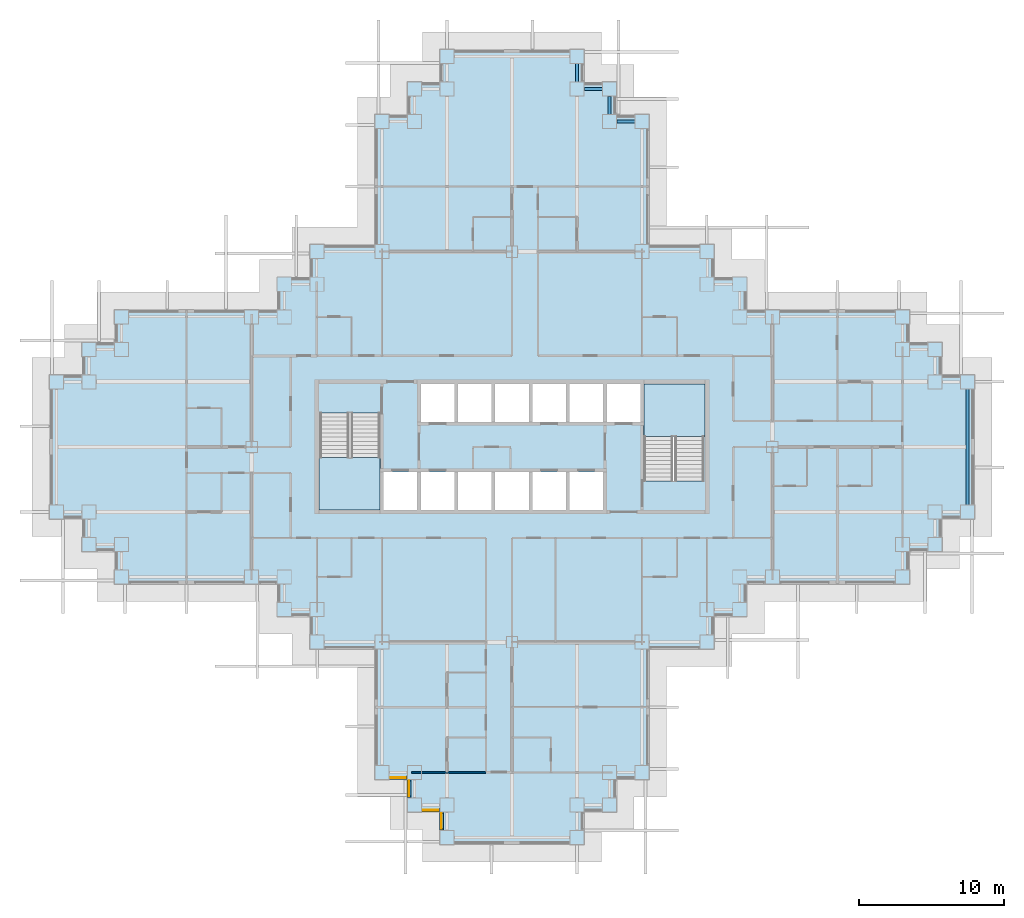
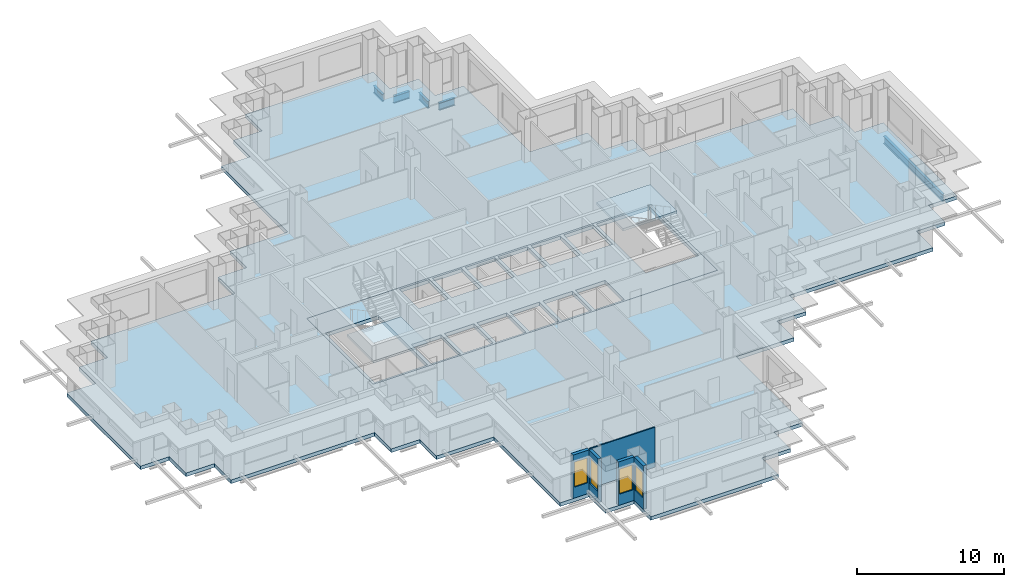
# One storey, part 2 of 15: 5 beams, 5 walls, 4 slabs, 4 windows, 4 openings, 2 elements without a shape of their own.
"""IFC4 building model written with IfcOpenShell, lengths in metres."""

from ifc_helpers import new_model, si_unit, direction, frame, frame_2d, origin, origin_2d, place, context, subcontext, project, spatial, polyline, rectangle, i_section, outline, extrude, material, layer, layer_set, material_profile, profile_set, type_object, element, fill, aggregate, save


model = new_model("IFC4")

# Units and contexts
model_context = context("Model", 3, precision=1e-05, world=origin(), true_north=direction((0.0, 1.0)))
body_context = subcontext(model_context, "Body", "Model", "MODEL_VIEW")
ifc_project = project(units=[si_unit("LENGTHUNIT", "METRE"), si_unit("AREAUNIT", "SQUARE_METRE"), si_unit("VOLUMEUNIT", "CUBIC_METRE"), si_unit("PLANEANGLEUNIT", "RADIAN"), si_unit("MASSUNIT", "GRAM", prefix="KILO")], contexts=[model_context])

# Site, building, storey
site_placement = place(None, origin())
site = spatial("IfcSite", under=ifc_project, at=site_placement, CompositionType="ELEMENT")
building_placement = place(site_placement, origin())
building = spatial("IfcBuilding", under=site, at=building_placement, Name="Caravel Reach Hotel and Residences", CompositionType="ELEMENT")
storey_placement = place(building_placement, frame((0.0, 0.0, 60.0)))
storey = spatial("IfcBuildingStorey", under=building, at=storey_placement, Name="L13", CompositionType="ELEMENT", Elevation=60.0)

# Beams
ifc_material_1 = material(Name="Structural steel Q355B", Category="steel")
ifc_material_profile = material_profile(ifc_material_1, i_section(OverallWidth=0.199951171875, OverallDepth=0.60009765625, WebThickness=0.010986328125, FlangeThickness=0.01708984375, FilletRadius=0.012939453125, at=origin_2d()), Name="HN 600x200x11x17")
ifc_profile_set = profile_set([ifc_material_profile], Name="Structural steel Q355B")
beam_type = type_object("IfcBeamType", Name="Spandrel beam HN 600x200x11x17", PredefinedType="SPANDREL", material=ifc_profile_set)
beam_placement = place(storey_placement, frame((63.0, 23.0, -0.60009765625), z_axis=(0.0, 1.0, 0.0), x_axis=(-1.0, 0.0, 0.0)))
element("IfcBeam", 1, at=beam_placement, inside=storey, type_object=beam_type, Name="SP1 HN 600x200x11x17", PredefinedType="SPANDREL", context=body_context, shape_type="SweptSolid", body=[
    extrude(i_section(OverallWidth=0.199951171875, OverallDepth=0.60009765625, WebThickness=0.010986328125, FlangeThickness=0.01708984375, FilletRadius=0.012939453125, at=origin_2d()), origin(), (0.0, 0.0, 1.0), 8.0),
])
for number, where, z_axis, x_axis, name in (
    (2, (40.0, 49.5, -0.60009765625), (-1.0, 0.0, 0.0), (0.0, -1.0, 0.0), "SP1 HN 600x200x11x17"),
    (3, (38.25, 50.0, -0.60009765625), (0.0, 1.0, 0.0), (-1.0, 0.0, 0.0), "SP1 HN 600x200x11x17"),
    (4, (37.75, 51.75, -0.60009765625), (-1.0, 0.0, 0.0), (0.0, -1.0, 0.0), "SP1 HN 600x200x11x17"),
    (5, (36.0, 52.25, -0.60009765625), (0.0, 1.0, 0.0), (-1.0, 0.0, 0.0), "SP1 HN 600x200x11x17"),
):
    element("IfcBeam", number, at=place(storey_placement, frame(where, z_axis=z_axis, x_axis=x_axis)), inside=storey, type_object=beam_type, Name=name, PredefinedType="SPANDREL", context=body_context, shape_type="SweptSolid", body=[
        extrude(i_section(OverallWidth=0.199951171875, OverallDepth=0.60009765625, WebThickness=0.010986328125, FlangeThickness=0.01708984375, FilletRadius=0.012939453125, at=origin_2d()), origin(), (0.0, 0.0, 1.0), 1.25),
    ])

# Slab
ifc_material_2 = material(Name="Concrete C40", Category="concrete")
ifc_layer_1 = layer(ifc_material_2, 0.300048828125)
ifc_layer_set_1 = layer_set([ifc_layer_1], Name="Core floor slab 300 mm")
slab_type_1 = type_object("IfcSlabType", Name="Core floor slab 300 mm", PredefinedType="FLOOR", material=ifc_layer_set_1)
slab_1_placement = place(storey_placement, frame((0.0, 0.0, -0.300048828125)))
element("IfcSlab", 6, at=slab_1_placement, inside=storey, type_object=slab_type_1, Name="L13 core floor", PredefinedType="FLOOR", context=body_context, shape_type="SweptSolid", body=[
    extrude(outline(polyline([(18.0, 31.5), (45.0, 31.5), (45.0, 22.5), (18.0, 22.5), (18.0, 31.5)]), holes=[polyline([(22.625, 25.27490234375), (22.625, 22.64990234375), (24.9462890625, 22.64990234375), (24.9462890625, 25.27490234375), (22.625, 25.27490234375)]), polyline([(27.517822265625, 25.27490234375), (25.1962890625, 25.27490234375), (25.1962890625, 22.64990234375), (27.517822265625, 22.64990234375), (27.517822265625, 25.27490234375)]), polyline([(30.08935546875, 25.27490234375), (27.767822265625, 25.27490234375), (27.767822265625, 22.64990234375), (30.08935546875, 22.64990234375), (30.08935546875, 25.27490234375)]), polyline([(32.66064453125, 25.27490234375), (30.33935546875, 25.27490234375), (30.33935546875, 22.64990234375), (32.66064453125, 22.64990234375), (32.66064453125, 25.27490234375)]), polyline([(18.22509765625, 22.64990234375), (22.375, 22.64990234375), (22.375, 29.35009765625), (18.22509765625, 29.35009765625), (18.22509765625, 22.64990234375)]), polyline([(27.517822265625, 31.35009765625), (25.1962890625, 31.35009765625), (25.1962890625, 28.72509765625), (27.517822265625, 28.72509765625), (27.517822265625, 31.35009765625)]), polyline([(30.08935546875, 31.35009765625), (27.767822265625, 31.35009765625), (27.767822265625, 28.72509765625), (30.08935546875, 28.72509765625), (30.08935546875, 31.35009765625)]), polyline([(32.91064453125, 25.27490234375), (32.91064453125, 22.64990234375), (35.232177734375, 22.64990234375), (35.232177734375, 25.27490234375), (32.91064453125, 25.27490234375)]), polyline([(37.8037109375, 25.27490234375), (35.482177734375, 25.27490234375), (35.482177734375, 22.64990234375), (37.8037109375, 22.64990234375), (37.8037109375, 25.27490234375)]), polyline([(44.77490234375, 31.35009765625), (40.625, 31.35009765625), (40.625, 24.64990234375), (44.77490234375, 24.64990234375), (44.77490234375, 31.35009765625)]), polyline([(32.66064453125, 31.35009765625), (30.33935546875, 31.35009765625), (30.33935546875, 28.72509765625), (32.66064453125, 28.72509765625), (32.66064453125, 31.35009765625)]), polyline([(35.232177734375, 31.35009765625), (32.91064453125, 31.35009765625), (32.91064453125, 28.72509765625), (35.232177734375, 28.72509765625), (35.232177734375, 31.35009765625)]), polyline([(37.8037109375, 31.35009765625), (35.482177734375, 31.35009765625), (35.482177734375, 28.72509765625), (37.8037109375, 28.72509765625), (37.8037109375, 31.35009765625)]), polyline([(40.375, 31.35009765625), (38.0537109375, 31.35009765625), (38.0537109375, 28.72509765625), (40.375, 28.72509765625), (40.375, 31.35009765625)])]), origin(), (0.0, 0.0, 1.0), 0.300048828125),
])

# Stair, slab
ifc_material_3 = material(Name="Concrete C40", Category="concrete")
stair_type = type_object("IfcStairType", Name="Core stair", PredefinedType="HALF_TURN_STAIR", material=ifc_material_3)
stair_1_placement = place(storey_placement, origin())
stair_1 = element("IfcStair", 7, at=stair_1_placement, inside=storey, type_object=stair_type, Name="L13 Exit stair A", PredefinedType="HALF_TURN_STAIR")
ifc_material_4 = material(Name="Concrete C40", Category="concrete")
ifc_layer_2 = layer(ifc_material_4, 0.199951171875)
ifc_layer_set_2 = layer_set([ifc_layer_2], Name="Core stair landing")
slab_type_2 = type_object("IfcSlabType", Name="Core stair landing", PredefinedType="LANDING", material=ifc_layer_set_2)
slab_2_placement = place(storey_placement, frame((0.0, 0.0, 1.60009765625)))
slab_2 = element("IfcSlab", 8, at=slab_2_placement, type_object=slab_type_2, Name="ST-A landing 1", PredefinedType="LANDING", context=body_context, shape_type="SweptSolid", body=[
    extrude(outline(polyline([(18.14990234375, 26.27001953125), (18.14990234375, 22.64990234375), (22.375, 22.64990234375), (22.375, 26.27001953125), (18.14990234375, 26.27001953125)])), origin(), (0.0, 0.0, 1.0), 0.199951171875),
])
aggregate(stair_1, [slab_2])

stair_2_placement = place(storey_placement, origin())
stair_2 = element("IfcStair", 9, at=stair_2_placement, inside=storey, type_object=stair_type, Name="L13 Exit stair B", PredefinedType="HALF_TURN_STAIR")
slab_3_placement = place(storey_placement, frame((0.0, 0.0, 1.60009765625)))
slab_3 = element("IfcSlab", 10, at=slab_3_placement, type_object=slab_type_2, Name="ST-B landing 1", PredefinedType="LANDING", context=body_context, shape_type="SweptSolid", body=[
    extrude(outline(polyline([(44.85009765625, 27.72998046875), (44.85009765625, 31.35009765625), (40.625, 31.35009765625), (40.625, 27.72998046875), (44.85009765625, 27.72998046875)])), origin(), (0.0, 0.0, 1.0), 0.199951171875),
])
aggregate(stair_2, [slab_3])

# Slab
ifc_material_5 = material(Name="Concrete C40 post-tensioned", Category="concrete")
ifc_layer_3 = layer(ifc_material_5, 0.300048828125)
ifc_layer_set_3 = layer_set([ifc_layer_3], Name="Floor slab 300")
slab_type_3 = type_object("IfcSlabType", Name="Floor slab 300", PredefinedType="FLOOR", material=ifc_layer_set_3)
slab_4_placement = place(storey_placement, frame((0.0, 0.0, -0.300048828125)))
element("IfcSlab", 11, at=slab_4_placement, inside=storey, type_object=slab_type_3, Name="S2 slab L13", PredefinedType="FLOOR", context=body_context, shape_type="SweptSolid", body=[
    extrude(outline(polyline([(17.5, 13.0), (17.5, 15.25), (15.25, 15.25), (15.25, 17.5), (4.0, 17.5), (4.0, 19.75), (1.75, 19.75), (1.75, 22.0), (-0.5, 22.0), (-0.5, 32.0), (1.75, 32.0), (1.75, 34.25), (4.0, 34.25), (4.0, 36.5), (15.25, 36.5), (15.25, 38.75), (17.5, 38.75), (17.5, 41.0), (22.0, 41.0), (22.0, 50.0), (24.25, 50.0), (24.25, 52.25), (26.5, 52.25), (26.5, 54.5), (36.5, 54.5), (36.5, 52.25), (38.75, 52.25), (38.75, 50.0), (41.0, 50.0), (41.0, 41.0), (45.5, 41.0), (45.5, 38.75), (47.75, 38.75), (47.75, 36.5), (59.0, 36.5), (59.0, 34.25), (61.25, 34.25), (61.25, 32.0), (63.5, 32.0), (63.5, 22.0), (61.25, 22.0), (61.25, 19.75), (59.0, 19.75), (59.0, 17.5), (47.75, 17.5), (47.75, 15.25), (45.5, 15.25), (45.5, 13.0), (41.0, 13.0), (41.0, 4.0), (38.75, 4.0), (38.75, 1.75), (36.5, 1.75), (36.5, -0.5), (26.5, -0.5), (26.5, 1.75), (24.25, 1.75), (24.25, 4.0), (22.0, 4.0), (22.0, 13.0), (17.5, 13.0)]), holes=[polyline([(45.0, 31.5), (18.0, 31.5), (18.0, 22.5), (45.0, 22.5), (45.0, 31.5)])]), origin(), (0.0, 0.0, 1.0), 0.300048828125),
])

# Wall, opening, window
ifc_material_6 = material(Name="Insulated rainscreen wall, aluminium cladding", Category="aluminium")
ifc_layer_4 = layer(ifc_material_6, 0.25)
ifc_layer_set_4 = layer_set([ifc_layer_4], Name="EW1 Tower rainscreen wall")
wall_type_1 = type_object("IfcWallType", Name="EW1 Tower rainscreen wall", PredefinedType="SOLIDWALL", material=ifc_layer_set_4)
wall_1_placement = place(storey_placement, frame((23.0, 4.125, 0.0), z_axis=(0.0, 0.0, 1.0), x_axis=(1.0, 0.0, 0.0)))
wall_1 = element("IfcWall", 12, at=wall_1_placement, inside=storey, type_object=wall_type_1, Name="External wall L13 S1.1", PredefinedType="SOLIDWALL", context=body_context, shape_type="SweptSolid", body=[
    extrude(rectangle(XDim=1.25, YDim=0.25, at=frame_2d((0.625, 0.0))), origin(), (0.0, 0.0, 1.0), 3.60009765625),
])
opening_1_placement = place(wall_1_placement, frame((0.10009765625, 0.0, 0.89990234375)))
opening_1 = element("IfcOpeningElement", 13, at=opening_1_placement, cuts=wall_1, Name="Opening WN3", PredefinedType="OPENING", context=body_context, shape_type="SweptSolid", body=[
    extrude(rectangle(XDim=1.050048828125, YDim=2.080078125, at=frame_2d((0.52490234375, 1.0400390625))), frame((0.0, 0.135009765625, 0.0), z_axis=(0.0, -1.0, 0.0), x_axis=(1.0, 0.0, 0.0)), (0.0, 0.0, 1.0), 0.27001953125),
])
ifc_material_7 = material(Name="Dark low-e glazing in black aluminium frame", Category="aluminium")
window_type = type_object("IfcWindowType", Name="Hotel suite corner window 1050 x 2080", PartitioningType="SINGLE_PANEL", PredefinedType="WINDOW", material=ifc_material_7)
window_1_placement = place(opening_1_placement, origin())
window_1 = element("IfcWindow", 14, at=window_1_placement, inside=storey, type_object=window_type, Name="Window L13 S1.1.1", OverallHeight=2.080078125, OverallWidth=1.050048828125, PartitioningType="SINGLE_PANEL", PredefinedType="WINDOW", context=body_context, shape_type="SweptSolid", body=[
    extrude(rectangle(XDim=1.050048828125, YDim=2.080078125, at=frame_2d((0.52490234375, 1.0400390625))), frame((0.0, 0.030029296875, 0.0), z_axis=(0.0, -1.0, 0.0), x_axis=(1.0, 0.0, 0.0)), (0.0, 0.0, 1.0), 0.06005859375),
])
fill(opening_1, window_1)

wall_2_placement = place(storey_placement, frame((24.375, 4.0, 0.0), z_axis=(0.0, 0.0, 1.0), x_axis=(0.0, -1.0, 0.0)))
wall_2 = element("IfcWall", 15, at=wall_2_placement, inside=storey, type_object=wall_type_1, Name="External wall L13 W2.1", PredefinedType="SOLIDWALL", context=body_context, shape_type="SweptSolid", body=[
    extrude(rectangle(XDim=1.25, YDim=0.25, at=frame_2d((0.625, 0.0))), origin(), (0.0, 0.0, 1.0), 3.60009765625),
])
opening_2_placement = place(wall_2_placement, frame((0.10009765625, 0.0, 0.89990234375)))
opening_2 = element("IfcOpeningElement", 16, at=opening_2_placement, cuts=wall_2, Name="Opening WN3", PredefinedType="OPENING", context=body_context, shape_type="SweptSolid", body=[
    extrude(rectangle(XDim=1.050048828125, YDim=2.080078125, at=frame_2d((0.52490234375, 1.0400390625))), frame((0.0, 0.135009765625, 0.0), z_axis=(0.0, -1.0, 0.0), x_axis=(1.0, 0.0, 0.0)), (0.0, 0.0, 1.0), 0.27001953125),
])
window_2_placement = place(opening_2_placement, origin())
window_2 = element("IfcWindow", 17, at=window_2_placement, inside=storey, type_object=window_type, Name="Window L13 W2.1.1", OverallHeight=2.080078125, OverallWidth=1.050048828125, PartitioningType="SINGLE_PANEL", PredefinedType="WINDOW", context=body_context, shape_type="SweptSolid", body=[
    extrude(rectangle(XDim=1.050048828125, YDim=2.080078125, at=frame_2d((0.52490234375, 1.0400390625))), frame((0.0, 0.030029296875, 0.0), z_axis=(0.0, -1.0, 0.0), x_axis=(1.0, 0.0, 0.0)), (0.0, 0.0, 1.0), 0.06005859375),
])
fill(opening_2, window_2)

wall_3_placement = place(storey_placement, frame((25.25, 1.875, 0.0), z_axis=(0.0, 0.0, 1.0), x_axis=(1.0, 0.0, 0.0)))
wall_3 = element("IfcWall", 18, at=wall_3_placement, inside=storey, type_object=wall_type_1, Name="External wall L13 S3.1", PredefinedType="SOLIDWALL", context=body_context, shape_type="SweptSolid", body=[
    extrude(rectangle(XDim=1.25, YDim=0.25, at=frame_2d((0.625, 0.0))), origin(), (0.0, 0.0, 1.0), 3.60009765625),
])
opening_3_placement = place(wall_3_placement, frame((0.10009765625, 0.0, 0.89990234375)))
opening_3 = element("IfcOpeningElement", 19, at=opening_3_placement, cuts=wall_3, Name="Opening WN3", PredefinedType="OPENING", context=body_context, shape_type="SweptSolid", body=[
    extrude(rectangle(XDim=1.050048828125, YDim=2.080078125, at=frame_2d((0.52490234375, 1.0400390625))), frame((0.0, 0.135009765625, 0.0), z_axis=(0.0, -1.0, 0.0), x_axis=(1.0, 0.0, 0.0)), (0.0, 0.0, 1.0), 0.27001953125),
])
window_3_placement = place(opening_3_placement, origin())
window_3 = element("IfcWindow", 20, at=window_3_placement, inside=storey, type_object=window_type, Name="Window L13 S3.1.1", OverallHeight=2.080078125, OverallWidth=1.050048828125, PartitioningType="SINGLE_PANEL", PredefinedType="WINDOW", context=body_context, shape_type="SweptSolid", body=[
    extrude(rectangle(XDim=1.050048828125, YDim=2.080078125, at=frame_2d((0.52490234375, 1.0400390625))), frame((0.0, 0.030029296875, 0.0), z_axis=(0.0, -1.0, 0.0), x_axis=(1.0, 0.0, 0.0)), (0.0, 0.0, 1.0), 0.06005859375),
])
fill(opening_3, window_3)

wall_4_placement = place(storey_placement, frame((26.625, 1.75, 0.0), z_axis=(0.0, 0.0, 1.0), x_axis=(0.0, -1.0, 0.0)))
wall_4 = element("IfcWall", 21, at=wall_4_placement, inside=storey, type_object=wall_type_1, Name="External wall L13 W4.1", PredefinedType="SOLIDWALL", context=body_context, shape_type="SweptSolid", body=[
    extrude(rectangle(XDim=1.25, YDim=0.25, at=frame_2d((0.625, 0.0))), origin(), (0.0, 0.0, 1.0), 3.60009765625),
])
opening_4_placement = place(wall_4_placement, frame((0.10009765625, 0.0, 0.89990234375)))
opening_4 = element("IfcOpeningElement", 22, at=opening_4_placement, cuts=wall_4, Name="Opening WN3", PredefinedType="OPENING", context=body_context, shape_type="SweptSolid", body=[
    extrude(rectangle(XDim=1.050048828125, YDim=2.080078125, at=frame_2d((0.52490234375, 1.0400390625))), frame((0.0, 0.135009765625, 0.0), z_axis=(0.0, -1.0, 0.0), x_axis=(1.0, 0.0, 0.0)), (0.0, 0.0, 1.0), 0.27001953125),
])
window_4_placement = place(opening_4_placement, origin())
window_4 = element("IfcWindow", 23, at=window_4_placement, inside=storey, type_object=window_type, Name="Window L13 W4.1.1", OverallHeight=2.080078125, OverallWidth=1.050048828125, PartitioningType="SINGLE_PANEL", PredefinedType="WINDOW", context=body_context, shape_type="SweptSolid", body=[
    extrude(rectangle(XDim=1.050048828125, YDim=2.080078125, at=frame_2d((0.52490234375, 1.0400390625))), frame((0.0, 0.030029296875, 0.0), z_axis=(0.0, -1.0, 0.0), x_axis=(1.0, 0.0, 0.0)), (0.0, 0.0, 1.0), 0.06005859375),
])
fill(opening_4, window_4)

# Wall
ifc_material_8 = material(Name="Gypsum board on steel stud", Category="steel")
ifc_layer_5 = layer(ifc_material_8, 0.10009765625)
ifc_layer_set_5 = layer_set([ifc_layer_5], Name="Partition 100 mm")
wall_type_2 = type_object("IfcWallType", Name="Partition 100 mm", PredefinedType="PARTITIONING", material=ifc_layer_set_5)
wall_5_placement = place(storey_placement, frame((24.56005859375, 4.5, 0.0), z_axis=(0.0, 0.0, 1.0), x_axis=(1.0, 0.0, 0.0)))
element("IfcWall", 24, at=wall_5_placement, inside=storey, type_object=wall_type_2, Name="L13 wall w046", PredefinedType="PARTITIONING", context=body_context, shape_type="SweptSolid", body=[
    extrude(rectangle(XDim=5.139892578125, YDim=0.10009765625, at=frame_2d((2.56982421875, 0.0))), origin(), (0.0, 0.0, 1.0), 3.300048828125),
])

save(model, "model.ifc")
